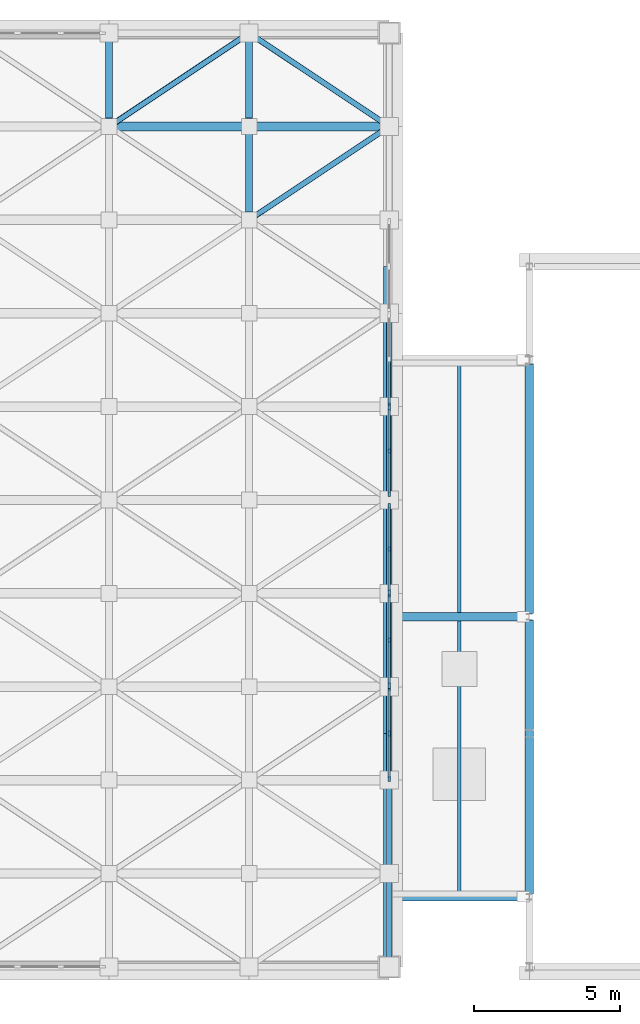
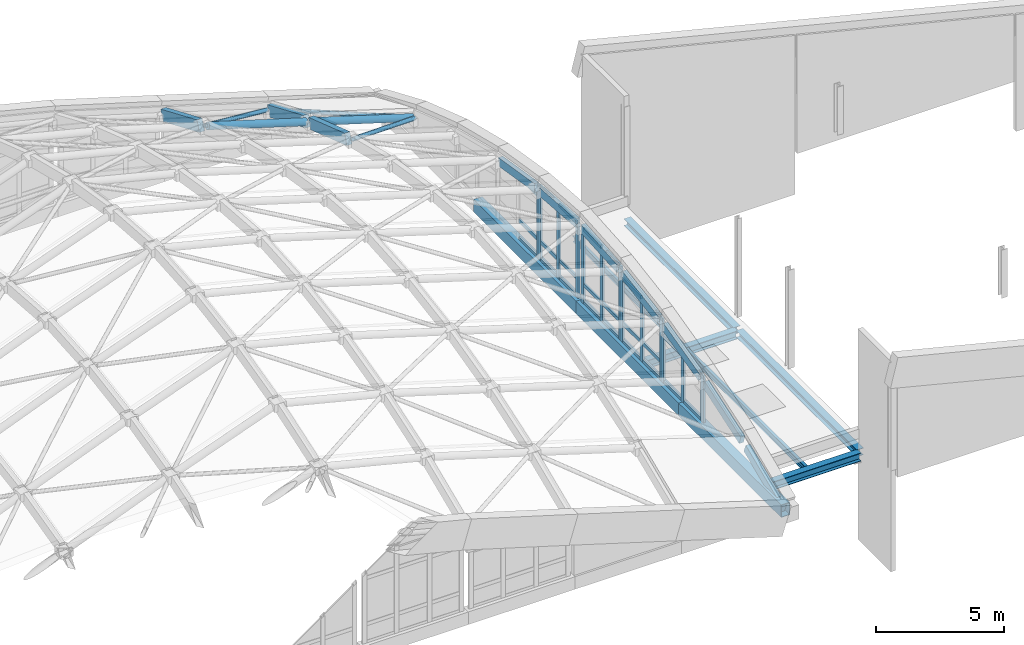
# One storey, part 7 of 14: 53 members, 9 beams, 5 elements without a shape of their own.
"""IFC4 building model written with IfcOpenShell, lengths in metres."""

from ifc_helpers import new_model, si_unit, direction, frame, origin, origin_2d, place, context, subcontext, project, spatial, rectangle, hollow_rectangle, hollow_circle, i_section, extrude, material, material_profile, profile_set, type_object, element, aggregate, save


model = new_model("IFC4")

# Units and contexts
model_context = context("Model", 3, precision=1e-05, world=origin(), true_north=direction((0.0, 1.0)))
body_context = subcontext(model_context, "Body", "Model", "MODEL_VIEW")
ifc_project = project(units=[si_unit("LENGTHUNIT", "METRE"), si_unit("AREAUNIT", "SQUARE_METRE"), si_unit("VOLUMEUNIT", "CUBIC_METRE"), si_unit("PLANEANGLEUNIT", "RADIAN"), si_unit("MASSUNIT", "GRAM", prefix="KILO")], contexts=[model_context])

# Site, building, storey
site_placement = place(None, origin())
site = spatial("IfcSite", under=ifc_project, at=site_placement, CompositionType="ELEMENT")
building_placement = place(site_placement, origin())
building = spatial("IfcBuilding", under=site, at=building_placement, Name="Dunescarp Central Library", CompositionType="ELEMENT")
storey_placement = place(building_placement, frame((0.0, 0.0, 31.800048828125)))
storey = spatial("IfcBuildingStorey", under=building, at=storey_placement, Name="ROOF", CompositionType="ELEMENT", Elevation=31.800048828125)

# Curtain wall, members
ifc_material_1 = material(Name="Marine-grade anodised aluminium 6063-T6", Category="aluminium")
curtain_wall_type = type_object("IfcCurtainWallType", Name="ARC-CW-CROWN", PredefinedType="NOTDEFINED", material=ifc_material_1)
curtain_wall_1_placement = place(storey_placement, origin())
curtain_wall_1 = element("IfcCurtainWall", 1, at=curtain_wall_1_placement, inside=storey, type_object=curtain_wall_type, Name="ROOF curtain wall CW-CROWN-E3", PredefinedType="NOTDEFINED")
ifc_material_profile_1 = material_profile(ifc_material_1, rectangle(XDim=0.090087890625, YDim=0.199951171875, at=origin_2d()), Name="AL 90x200")
ifc_profile_set_1 = profile_set([ifc_material_profile_1], Name="Marine-grade anodised aluminium 6063-T6")
member_type_1 = type_object("IfcMemberType", Name="ARC-CWM-200", PredefinedType="MULLION", material=ifc_profile_set_1)
member_1_placement = place(storey_placement, frame((33.60009765625, 14.35498046875, 0.0), z_axis=(0.0, 0.0, 1.0), x_axis=(1.0, 0.0, 0.0)))
member_1 = element("IfcMember", 2, at=member_1_placement, type_object=member_type_1, Name="CW-CROWN-E3 mullion 1", PredefinedType="MULLION", context=body_context, shape_type="SweptSolid", body=[
    extrude(rectangle(XDim=0.090087890625, YDim=0.199951171875, at=origin_2d()), origin(), (0.0, 0.0, 1.0), 2.239990234375),
])
member_2_placement = place(storey_placement, frame((33.60009765625, 12.800048828125, 0.0), z_axis=(0.0, 0.0, 1.0), x_axis=(1.0, 0.0, 0.0)))
member_2 = element("IfcMember", 3, at=member_2_placement, type_object=member_type_1, Name="CW-CROWN-E3 mullion 2", PredefinedType="MULLION", context=body_context, shape_type="SweptSolid", body=[
    extrude(rectangle(XDim=0.090087890625, YDim=0.199951171875, at=origin_2d()), origin(), (0.0, 0.0, 1.0), 2.239990234375),
])
member_3_placement = place(storey_placement, frame((33.60009765625, 11.2451171875, 0.0), z_axis=(0.0, 0.0, 1.0), x_axis=(1.0, 0.0, 0.0)))
member_3 = element("IfcMember", 4, at=member_3_placement, type_object=member_type_1, Name="CW-CROWN-E3 mullion 3", PredefinedType="MULLION", context=body_context, shape_type="SweptSolid", body=[
    extrude(rectangle(XDim=0.090087890625, YDim=0.199951171875, at=origin_2d()), origin(), (0.0, 0.0, 1.0), 2.239990234375),
])

curtain_wall_2_placement = place(storey_placement, origin())
curtain_wall_2 = element("IfcCurtainWall", 5, at=curtain_wall_2_placement, inside=storey, type_object=curtain_wall_type, Name="ROOF curtain wall CW-CROWN-E4", PredefinedType="NOTDEFINED")
member_4_placement = place(storey_placement, frame((33.60009765625, 17.554931640625, 0.0), z_axis=(0.0, 0.0, 1.0), x_axis=(1.0, 0.0, 0.0)))
member_4 = element("IfcMember", 6, at=member_4_placement, type_object=member_type_1, Name="CW-CROWN-E4 mullion 1", PredefinedType="MULLION", context=body_context, shape_type="SweptSolid", body=[
    extrude(rectangle(XDim=0.090087890625, YDim=0.199951171875, at=origin_2d()), origin(), (0.0, 0.0, 1.0), 3.0400390625),
])
member_5_placement = place(storey_placement, frame((33.60009765625, 16.0, 0.0), z_axis=(0.0, 0.0, 1.0), x_axis=(1.0, 0.0, 0.0)))
member_5 = element("IfcMember", 7, at=member_5_placement, type_object=member_type_1, Name="CW-CROWN-E4 mullion 2", PredefinedType="MULLION", context=body_context, shape_type="SweptSolid", body=[
    extrude(rectangle(XDim=0.090087890625, YDim=0.199951171875, at=origin_2d()), origin(), (0.0, 0.0, 1.0), 3.0400390625),
])
member_6_placement = place(storey_placement, frame((33.60009765625, 14.445068359375, 0.0), z_axis=(0.0, 0.0, 1.0), x_axis=(1.0, 0.0, 0.0)))
member_6 = element("IfcMember", 8, at=member_6_placement, type_object=member_type_1, Name="CW-CROWN-E4 mullion 3", PredefinedType="MULLION", context=body_context, shape_type="SweptSolid", body=[
    extrude(rectangle(XDim=0.090087890625, YDim=0.199951171875, at=origin_2d()), origin(), (0.0, 0.0, 1.0), 3.0400390625),
])

curtain_wall_3_placement = place(storey_placement, origin())
curtain_wall_3 = element("IfcCurtainWall", 9, at=curtain_wall_3_placement, inside=storey, type_object=curtain_wall_type, Name="ROOF curtain wall CW-CROWN-E5", PredefinedType="NOTDEFINED")
member_7_placement = place(storey_placement, frame((33.60009765625, 20.580078125, 0.0), z_axis=(0.0, 0.0, 1.0), x_axis=(1.0, 0.0, 0.0)))
member_7 = element("IfcMember", 10, at=member_7_placement, type_object=member_type_1, Name="CW-CROWN-E5 mullion 1", PredefinedType="MULLION", context=body_context, shape_type="SweptSolid", body=[
    extrude(rectangle(XDim=0.090087890625, YDim=0.199951171875, at=origin_2d()), origin(), (0.0, 0.0, 1.0), 3.56005859375),
])
member_8_placement = place(storey_placement, frame((33.60009765625, 19.112548828125, 0.0), z_axis=(0.0, 0.0, 1.0), x_axis=(1.0, 0.0, 0.0)))
member_8 = element("IfcMember", 11, at=member_8_placement, type_object=member_type_1, Name="CW-CROWN-E5 mullion 2", PredefinedType="MULLION", context=body_context, shape_type="SweptSolid", body=[
    extrude(rectangle(XDim=0.090087890625, YDim=0.199951171875, at=origin_2d()), origin(), (0.0, 0.0, 1.0), 3.56005859375),
])
member_9_placement = place(storey_placement, frame((33.60009765625, 17.64501953125, 0.0), z_axis=(0.0, 0.0, 1.0), x_axis=(1.0, 0.0, 0.0)))
member_9 = element("IfcMember", 12, at=member_9_placement, type_object=member_type_1, Name="CW-CROWN-E5 mullion 3", PredefinedType="MULLION", context=body_context, shape_type="SweptSolid", body=[
    extrude(rectangle(XDim=0.090087890625, YDim=0.199951171875, at=origin_2d()), origin(), (0.0, 0.0, 1.0), 3.56005859375),
])

curtain_wall_4_placement = place(storey_placement, origin())
curtain_wall_4 = element("IfcCurtainWall", 13, at=curtain_wall_4_placement, inside=storey, type_object=curtain_wall_type, Name="ROOF curtain wall CW-CROWN-E6", PredefinedType="NOTDEFINED")
member_10_placement = place(storey_placement, frame((33.60009765625, 23.955078125, 0.0), z_axis=(0.0, 0.0, 1.0), x_axis=(1.0, 0.0, 0.0)))
member_10 = element("IfcMember", 14, at=member_10_placement, type_object=member_type_1, Name="CW-CROWN-E6 mullion 1", PredefinedType="MULLION", context=body_context, shape_type="SweptSolid", body=[
    extrude(rectangle(XDim=0.090087890625, YDim=0.199951171875, at=origin_2d()), origin(), (0.0, 0.0, 1.0), 3.56005859375),
])
member_11_placement = place(storey_placement, frame((33.60009765625, 22.487548828125, 0.0), z_axis=(0.0, 0.0, 1.0), x_axis=(1.0, 0.0, 0.0)))
member_11 = element("IfcMember", 15, at=member_11_placement, type_object=member_type_1, Name="CW-CROWN-E6 mullion 2", PredefinedType="MULLION", context=body_context, shape_type="SweptSolid", body=[
    extrude(rectangle(XDim=0.090087890625, YDim=0.199951171875, at=origin_2d()), origin(), (0.0, 0.0, 1.0), 3.56005859375),
])
member_12_placement = place(storey_placement, frame((33.60009765625, 21.02001953125, 0.0), z_axis=(0.0, 0.0, 1.0), x_axis=(1.0, 0.0, 0.0)))
member_12 = element("IfcMember", 16, at=member_12_placement, type_object=member_type_1, Name="CW-CROWN-E6 mullion 3", PredefinedType="MULLION", context=body_context, shape_type="SweptSolid", body=[
    extrude(rectangle(XDim=0.090087890625, YDim=0.199951171875, at=origin_2d()), origin(), (0.0, 0.0, 1.0), 3.56005859375),
])

# Curtain wall, member
curtain_wall_5_placement = place(storey_placement, origin())
curtain_wall_5 = element("IfcCurtainWall", 17, at=curtain_wall_5_placement, inside=storey, type_object=curtain_wall_type, Name="ROOF curtain wall CW-CROWN-E7", PredefinedType="NOTDEFINED")
member_13_placement = place(storey_placement, frame((33.60009765625, 24.044921875, 0.0), z_axis=(0.0, 0.0, 1.0), x_axis=(1.0, 0.0, 0.0)))
member_13 = element("IfcMember", 18, at=member_13_placement, type_object=member_type_1, Name="CW-CROWN-E7 mullion 3", PredefinedType="MULLION", context=body_context, shape_type="SweptSolid", body=[
    extrude(rectangle(XDim=0.090087890625, YDim=0.199951171875, at=origin_2d()), origin(), (0.0, 0.0, 1.0), 3.0400390625),
])

# Member
ifc_material_profile_2 = material_profile(ifc_material_1, rectangle(XDim=0.080078125, YDim=0.169921875, at=origin_2d()), Name="AL 80x170")
ifc_profile_set_2 = profile_set([ifc_material_profile_2], Name="Marine-grade anodised aluminium 6063-T6")
member_type_2 = type_object("IfcMemberType", Name="ARC-CWT-170", PredefinedType="USERDEFINED", material=ifc_profile_set_2)
member_14_placement = place(storey_placement, frame((33.60009765625, 14.31005859375, 0.0400390625), z_axis=(0.0, -1.0, 0.0), x_axis=(1.0, 0.0, 0.0)))
member_14 = element("IfcMember", 19, at=member_14_placement, type_object=member_type_2, Name="CW-CROWN-E3 transom 1.1", ObjectType="TRANSOM", PredefinedType="USERDEFINED", context=body_context, shape_type="SweptSolid", body=[
    extrude(rectangle(XDim=0.080078125, YDim=0.169921875, at=origin_2d()), origin(), (0.0, 0.0, 1.0), 1.465087890625),
])

member_15_placement = place(storey_placement, frame((33.60009765625, 14.31005859375, 2.199951171875), z_axis=(0.0, -1.0, 0.0), x_axis=(1.0, 0.0, 0.0)))
member_15 = element("IfcMember", 20, at=member_15_placement, type_object=member_type_2, Name="CW-CROWN-E3 transom 1.2", ObjectType="TRANSOM", PredefinedType="USERDEFINED", context=body_context, shape_type="SweptSolid", body=[
    extrude(rectangle(XDim=0.080078125, YDim=0.169921875, at=origin_2d()), origin(), (0.0, 0.0, 1.0), 1.465087890625),
])

member_16_placement = place(storey_placement, frame((33.60009765625, 12.7548828125, 0.0400390625), z_axis=(0.0, -1.0, 0.0), x_axis=(1.0, 0.0, 0.0)))
member_16 = element("IfcMember", 21, at=member_16_placement, type_object=member_type_2, Name="CW-CROWN-E3 transom 2.1", ObjectType="TRANSOM", PredefinedType="USERDEFINED", context=body_context, shape_type="SweptSolid", body=[
    extrude(rectangle(XDim=0.080078125, YDim=0.169921875, at=origin_2d()), origin(), (0.0, 0.0, 1.0), 1.46484375),
])

member_17_placement = place(storey_placement, frame((33.60009765625, 12.7548828125, 2.199951171875), z_axis=(0.0, -1.0, 0.0), x_axis=(1.0, 0.0, 0.0)))
member_17 = element("IfcMember", 22, at=member_17_placement, type_object=member_type_2, Name="CW-CROWN-E3 transom 2.2", ObjectType="TRANSOM", PredefinedType="USERDEFINED", context=body_context, shape_type="SweptSolid", body=[
    extrude(rectangle(XDim=0.080078125, YDim=0.169921875, at=origin_2d()), origin(), (0.0, 0.0, 1.0), 1.46484375),
])

aggregate(curtain_wall_1, [member_1, member_2, member_3, member_14, member_15, member_16, member_17])

member_18_placement = place(storey_placement, frame((33.60009765625, 17.510009765625, 0.0400390625), z_axis=(0.0, -1.0, 0.0), x_axis=(1.0, 0.0, 0.0)))
member_18 = element("IfcMember", 23, at=member_18_placement, type_object=member_type_2, Name="CW-CROWN-E4 transom 1.1", ObjectType="TRANSOM", PredefinedType="USERDEFINED", context=body_context, shape_type="SweptSolid", body=[
    extrude(rectangle(XDim=0.080078125, YDim=0.169921875, at=origin_2d()), origin(), (0.0, 0.0, 1.0), 1.465087890625),
])

member_19_placement = place(storey_placement, frame((33.60009765625, 17.510009765625, 0.89990234375), z_axis=(0.0, -1.0, 0.0), x_axis=(1.0, 0.0, 0.0)))
member_19 = element("IfcMember", 24, at=member_19_placement, type_object=member_type_2, Name="CW-CROWN-E4 transom 1.2", ObjectType="TRANSOM", PredefinedType="USERDEFINED", context=body_context, shape_type="SweptSolid", body=[
    extrude(rectangle(XDim=0.080078125, YDim=0.169921875, at=origin_2d()), origin(), (0.0, 0.0, 1.0), 1.465087890625),
])

member_20_placement = place(storey_placement, frame((33.60009765625, 17.510009765625, 3.0), z_axis=(0.0, -1.0, 0.0), x_axis=(1.0, 0.0, 0.0)))
member_20 = element("IfcMember", 25, at=member_20_placement, type_object=member_type_2, Name="CW-CROWN-E4 transom 1.3", ObjectType="TRANSOM", PredefinedType="USERDEFINED", context=body_context, shape_type="SweptSolid", body=[
    extrude(rectangle(XDim=0.080078125, YDim=0.169921875, at=origin_2d()), origin(), (0.0, 0.0, 1.0), 1.465087890625),
])

member_21_placement = place(storey_placement, frame((33.60009765625, 15.955078125, 0.0400390625), z_axis=(0.0, -1.0, 0.0), x_axis=(1.0, 0.0, 0.0)))
member_21 = element("IfcMember", 26, at=member_21_placement, type_object=member_type_2, Name="CW-CROWN-E4 transom 2.1", ObjectType="TRANSOM", PredefinedType="USERDEFINED", context=body_context, shape_type="SweptSolid", body=[
    extrude(rectangle(XDim=0.080078125, YDim=0.169921875, at=origin_2d()), origin(), (0.0, 0.0, 1.0), 1.465087890625),
])

member_22_placement = place(storey_placement, frame((33.60009765625, 15.955078125, 0.89990234375), z_axis=(0.0, -1.0, 0.0), x_axis=(1.0, 0.0, 0.0)))
member_22 = element("IfcMember", 27, at=member_22_placement, type_object=member_type_2, Name="CW-CROWN-E4 transom 2.2", ObjectType="TRANSOM", PredefinedType="USERDEFINED", context=body_context, shape_type="SweptSolid", body=[
    extrude(rectangle(XDim=0.080078125, YDim=0.169921875, at=origin_2d()), origin(), (0.0, 0.0, 1.0), 1.465087890625),
])

member_23_placement = place(storey_placement, frame((33.60009765625, 15.955078125, 3.0), z_axis=(0.0, -1.0, 0.0), x_axis=(1.0, 0.0, 0.0)))
member_23 = element("IfcMember", 28, at=member_23_placement, type_object=member_type_2, Name="CW-CROWN-E4 transom 2.3", ObjectType="TRANSOM", PredefinedType="USERDEFINED", context=body_context, shape_type="SweptSolid", body=[
    extrude(rectangle(XDim=0.080078125, YDim=0.169921875, at=origin_2d()), origin(), (0.0, 0.0, 1.0), 1.465087890625),
])

aggregate(curtain_wall_2, [member_4, member_5, member_6, member_18, member_19, member_20, member_21, member_22, member_23])

member_24_placement = place(storey_placement, frame((33.60009765625, 20.534912109375, 0.0400390625), z_axis=(0.0, -1.0, 0.0), x_axis=(1.0, 0.0, 0.0)))
member_24 = element("IfcMember", 29, at=member_24_placement, type_object=member_type_2, Name="CW-CROWN-E5 transom 1.1", ObjectType="TRANSOM", PredefinedType="USERDEFINED", context=body_context, shape_type="SweptSolid", body=[
    extrude(rectangle(XDim=0.080078125, YDim=0.169921875, at=origin_2d()), origin(), (0.0, 0.0, 1.0), 1.37744140625),
])

member_25_placement = place(storey_placement, frame((33.60009765625, 20.534912109375, 0.89990234375), z_axis=(0.0, -1.0, 0.0), x_axis=(1.0, 0.0, 0.0)))
member_25 = element("IfcMember", 30, at=member_25_placement, type_object=member_type_2, Name="CW-CROWN-E5 transom 1.2", ObjectType="TRANSOM", PredefinedType="USERDEFINED", context=body_context, shape_type="SweptSolid", body=[
    extrude(rectangle(XDim=0.080078125, YDim=0.169921875, at=origin_2d()), origin(), (0.0, 0.0, 1.0), 1.37744140625),
])

member_26_placement = place(storey_placement, frame((33.60009765625, 20.534912109375, 3.52001953125), z_axis=(0.0, -1.0, 0.0), x_axis=(1.0, 0.0, 0.0)))
member_26 = element("IfcMember", 31, at=member_26_placement, type_object=member_type_2, Name="CW-CROWN-E5 transom 1.3", ObjectType="TRANSOM", PredefinedType="USERDEFINED", context=body_context, shape_type="SweptSolid", body=[
    extrude(rectangle(XDim=0.080078125, YDim=0.169921875, at=origin_2d()), origin(), (0.0, 0.0, 1.0), 1.37744140625),
])

member_27_placement = place(storey_placement, frame((33.60009765625, 19.0673828125, 0.0400390625), z_axis=(0.0, -1.0, 0.0), x_axis=(1.0, 0.0, 0.0)))
member_27 = element("IfcMember", 32, at=member_27_placement, type_object=member_type_2, Name="CW-CROWN-E5 transom 2.1", ObjectType="TRANSOM", PredefinedType="USERDEFINED", context=body_context, shape_type="SweptSolid", body=[
    extrude(rectangle(XDim=0.080078125, YDim=0.169921875, at=origin_2d()), origin(), (0.0, 0.0, 1.0), 1.37744140625),
])

member_28_placement = place(storey_placement, frame((33.60009765625, 19.0673828125, 0.89990234375), z_axis=(0.0, -1.0, 0.0), x_axis=(1.0, 0.0, 0.0)))
member_28 = element("IfcMember", 33, at=member_28_placement, type_object=member_type_2, Name="CW-CROWN-E5 transom 2.2", ObjectType="TRANSOM", PredefinedType="USERDEFINED", context=body_context, shape_type="SweptSolid", body=[
    extrude(rectangle(XDim=0.080078125, YDim=0.169921875, at=origin_2d()), origin(), (0.0, 0.0, 1.0), 1.37744140625),
])

member_29_placement = place(storey_placement, frame((33.60009765625, 19.0673828125, 3.52001953125), z_axis=(0.0, -1.0, 0.0), x_axis=(1.0, 0.0, 0.0)))
member_29 = element("IfcMember", 34, at=member_29_placement, type_object=member_type_2, Name="CW-CROWN-E5 transom 2.3", ObjectType="TRANSOM", PredefinedType="USERDEFINED", context=body_context, shape_type="SweptSolid", body=[
    extrude(rectangle(XDim=0.080078125, YDim=0.169921875, at=origin_2d()), origin(), (0.0, 0.0, 1.0), 1.37744140625),
])

aggregate(curtain_wall_3, [member_7, member_8, member_9, member_24, member_25, member_26, member_27, member_28, member_29])

member_30_placement = place(storey_placement, frame((33.60009765625, 23.909912109375, 0.0400390625), z_axis=(0.0, -1.0, 0.0), x_axis=(1.0, 0.0, 0.0)))
member_30 = element("IfcMember", 35, at=member_30_placement, type_object=member_type_2, Name="CW-CROWN-E6 transom 1.1", ObjectType="TRANSOM", PredefinedType="USERDEFINED", context=body_context, shape_type="SweptSolid", body=[
    extrude(rectangle(XDim=0.080078125, YDim=0.169921875, at=origin_2d()), origin(), (0.0, 0.0, 1.0), 1.37744140625),
])

member_31_placement = place(storey_placement, frame((33.60009765625, 23.909912109375, 0.89990234375), z_axis=(0.0, -1.0, 0.0), x_axis=(1.0, 0.0, 0.0)))
member_31 = element("IfcMember", 36, at=member_31_placement, type_object=member_type_2, Name="CW-CROWN-E6 transom 1.2", ObjectType="TRANSOM", PredefinedType="USERDEFINED", context=body_context, shape_type="SweptSolid", body=[
    extrude(rectangle(XDim=0.080078125, YDim=0.169921875, at=origin_2d()), origin(), (0.0, 0.0, 1.0), 1.37744140625),
])

member_32_placement = place(storey_placement, frame((33.60009765625, 23.909912109375, 3.52001953125), z_axis=(0.0, -1.0, 0.0), x_axis=(1.0, 0.0, 0.0)))
member_32 = element("IfcMember", 37, at=member_32_placement, type_object=member_type_2, Name="CW-CROWN-E6 transom 1.3", ObjectType="TRANSOM", PredefinedType="USERDEFINED", context=body_context, shape_type="SweptSolid", body=[
    extrude(rectangle(XDim=0.080078125, YDim=0.169921875, at=origin_2d()), origin(), (0.0, 0.0, 1.0), 1.37744140625),
])

member_33_placement = place(storey_placement, frame((33.60009765625, 22.4423828125, 0.0400390625), z_axis=(0.0, -1.0, 0.0), x_axis=(1.0, 0.0, 0.0)))
member_33 = element("IfcMember", 38, at=member_33_placement, type_object=member_type_2, Name="CW-CROWN-E6 transom 2.1", ObjectType="TRANSOM", PredefinedType="USERDEFINED", context=body_context, shape_type="SweptSolid", body=[
    extrude(rectangle(XDim=0.080078125, YDim=0.169921875, at=origin_2d()), origin(), (0.0, 0.0, 1.0), 1.37744140625),
])

member_34_placement = place(storey_placement, frame((33.60009765625, 22.4423828125, 0.89990234375), z_axis=(0.0, -1.0, 0.0), x_axis=(1.0, 0.0, 0.0)))
member_34 = element("IfcMember", 39, at=member_34_placement, type_object=member_type_2, Name="CW-CROWN-E6 transom 2.2", ObjectType="TRANSOM", PredefinedType="USERDEFINED", context=body_context, shape_type="SweptSolid", body=[
    extrude(rectangle(XDim=0.080078125, YDim=0.169921875, at=origin_2d()), origin(), (0.0, 0.0, 1.0), 1.37744140625),
])

member_35_placement = place(storey_placement, frame((33.60009765625, 22.4423828125, 3.52001953125), z_axis=(0.0, -1.0, 0.0), x_axis=(1.0, 0.0, 0.0)))
member_35 = element("IfcMember", 40, at=member_35_placement, type_object=member_type_2, Name="CW-CROWN-E6 transom 2.3", ObjectType="TRANSOM", PredefinedType="USERDEFINED", context=body_context, shape_type="SweptSolid", body=[
    extrude(rectangle(XDim=0.080078125, YDim=0.169921875, at=origin_2d()), origin(), (0.0, 0.0, 1.0), 1.37744140625),
])

aggregate(curtain_wall_4, [member_10, member_11, member_12, member_30, member_31, member_32, member_33, member_34, member_35])

member_36_placement = place(storey_placement, frame((33.60009765625, 25.554931640625, 0.0400390625), z_axis=(0.0, -1.0, 0.0), x_axis=(1.0, 0.0, 0.0)))
member_36 = element("IfcMember", 41, at=member_36_placement, type_object=member_type_2, Name="CW-CROWN-E7 transom 2.1", ObjectType="TRANSOM", PredefinedType="USERDEFINED", context=body_context, shape_type="SweptSolid", body=[
    extrude(rectangle(XDim=0.080078125, YDim=0.169921875, at=origin_2d()), origin(), (0.0, 0.0, 1.0), 1.46484375),
])

member_37_placement = place(storey_placement, frame((33.60009765625, 25.554931640625, 0.89990234375), z_axis=(0.0, -1.0, 0.0), x_axis=(1.0, 0.0, 0.0)))
member_37 = element("IfcMember", 42, at=member_37_placement, type_object=member_type_2, Name="CW-CROWN-E7 transom 2.2", ObjectType="TRANSOM", PredefinedType="USERDEFINED", context=body_context, shape_type="SweptSolid", body=[
    extrude(rectangle(XDim=0.080078125, YDim=0.169921875, at=origin_2d()), origin(), (0.0, 0.0, 1.0), 1.46484375),
])

member_38_placement = place(storey_placement, frame((33.60009765625, 25.554931640625, 3.0), z_axis=(0.0, -1.0, 0.0), x_axis=(1.0, 0.0, 0.0)))
member_38 = element("IfcMember", 43, at=member_38_placement, type_object=member_type_2, Name="CW-CROWN-E7 transom 2.3", ObjectType="TRANSOM", PredefinedType="USERDEFINED", context=body_context, shape_type="SweptSolid", body=[
    extrude(rectangle(XDim=0.080078125, YDim=0.169921875, at=origin_2d()), origin(), (0.0, 0.0, 1.0), 1.46484375),
])

aggregate(curtain_wall_5, [member_13, member_36, member_37, member_38])

# Beams
ifc_material_2 = material(Name="Steel S355JR", Category="steel")
ifc_material_profile_3 = material_profile(ifc_material_2, i_section(OverallWidth=0.300048828125, OverallDepth=0.330078125, WebThickness=0.009521484375, FlangeThickness=0.0166015625, at=origin_2d()), Name="HEA 340")
ifc_profile_set_3 = profile_set([ifc_material_profile_3], Name="Steel S355JR")
beam_type_1 = type_object("IfcBeamType", Name="STR-BM-HEA340", PredefinedType="BEAM", material=ifc_profile_set_3)
beam_1_placement = place(storey_placement, frame((38.39990234375, 7.304931640625, -0.76513671875), z_axis=(0.0, 1.0, 0.0), x_axis=(-1.0, 0.0, 0.0)))
element("IfcBeam", 44, at=beam_1_placement, inside=storey, type_object=beam_type_1, Name="ROOF girder BM-ROOF-20003", PredefinedType="BEAM", context=body_context, shape_type="SweptSolid", body=[
    extrude(i_section(OverallWidth=0.300048828125, OverallDepth=0.330078125, WebThickness=0.009521484375, FlangeThickness=0.0166015625, at=origin_2d()), origin(), (0.0, 0.0, 1.0), 9.39013671875),
])
beam_2_placement = place(storey_placement, frame((38.39990234375, 16.905029296875, -0.76513671875), z_axis=(0.0, 1.0, 0.0), x_axis=(-1.0, 0.0, 0.0)))
element("IfcBeam", 45, at=beam_2_placement, inside=storey, type_object=beam_type_1, Name="ROOF girder BM-ROOF-20006", PredefinedType="BEAM", context=body_context, shape_type="SweptSolid", body=[
    extrude(i_section(OverallWidth=0.300048828125, OverallDepth=0.330078125, WebThickness=0.009521484375, FlangeThickness=0.0166015625, at=origin_2d()), origin(), (0.0, 0.0, 1.0), 8.56005859375),
])
ifc_material_profile_4 = material_profile(ifc_material_2, i_section(OverallWidth=0.300048828125, OverallDepth=0.389892578125, WebThickness=0.010986328125, FlangeThickness=0.01904296875, at=origin_2d()), Name="HEA 400")
ifc_profile_set_4 = profile_set([ifc_material_profile_4], Name="Steel S355JR")
beam_type_2 = type_object("IfcBeamType", Name="STR-BM-HEA400", PredefinedType="BEAM", material=ifc_profile_set_4)
for number, where, z_axis, x_axis, name in (
    (46, (33.7529296875, 7.199951171875, -0.795166015625), (1.0, 0.0, 0.0), (0.0, 1.0, 0.0), "ROOF girder BM-ROOF-20001"),
    (47, (33.7529296875, 16.800048828125, -0.795166015625), (1.0, 0.0, 0.0), (0.0, 1.0, 0.0), "ROOF girder BM-ROOF-20002"),
):
    element("IfcBeam", number, at=place(storey_placement, frame(where, z_axis=z_axis, x_axis=x_axis)), inside=storey, type_object=beam_type_2, Name=name, PredefinedType="BEAM", context=body_context, shape_type="SweptSolid", body=[
        extrude(i_section(OverallWidth=0.300048828125, OverallDepth=0.389892578125, WebThickness=0.010986328125, FlangeThickness=0.01904296875, at=origin_2d()), origin(), (0.0, 0.0, 1.0), 4.547119140625),
    ])

# Members
ifc_material_3 = material(Name="Steel S355J0", Category="steel")
ifc_material_profile_5 = material_profile(ifc_material_3, hollow_circle(Radius=0.161865234375, WallThickness=0.012451171875, at=origin_2d()), Name="CHS 323.9x12.5")
ifc_profile_set_5 = profile_set([ifc_material_profile_5], Name="Steel S355J0")
member_type_3 = type_object("IfcMemberType", Name="STR-GS-ARCH", PredefinedType="USERDEFINED", material=ifc_profile_set_5)
member_39_placement = place(storey_placement, frame((24.19091796875, 33.60009765625, 3.81103515625), z_axis=(0.956223495748, 0.0, -0.292637362923), x_axis=(0.0, 1.0, 0.0)))
element("IfcMember", 48, at=member_39_placement, inside=storey, type_object=member_type_3, Name="Gridshell arch rib GS-A-509", ObjectType="ARCH_SEGMENT", PredefinedType="USERDEFINED", context=body_context, shape_type="SweptSolid", body=[
    extrude(hollow_circle(Radius=0.161865234375, WallThickness=0.012451171875, at=origin_2d()), origin(), (0.0, 0.0, 1.0), 4.6201171875),
])
member_40_placement = place(storey_placement, frame((28.990966796875, 33.60009765625, 2.341064453125), z_axis=(0.955615584441, 0.0, -0.294616453669), x_axis=(0.0, 1.0, 0.0)))
element("IfcMember", 49, at=member_40_placement, inside=storey, type_object=member_type_3, Name="Gridshell arch rib GS-A-609", ObjectType="ARCH_SEGMENT", PredefinedType="USERDEFINED", context=body_context, shape_type="SweptSolid", body=[
    extrude(hollow_circle(Radius=0.161865234375, WallThickness=0.012451171875, at=origin_2d()), origin(), (0.0, 0.0, 1.0), 4.623046875),
])
ifc_material_profile_6 = material_profile(ifc_material_3, hollow_circle(Radius=0.096923828125, WallThickness=0.008056640625, at=origin_2d()), Name="CHS 193.7x8")
ifc_profile_set_6 = profile_set([ifc_material_profile_6], Name="Steel S355J0")
member_type_4 = type_object("IfcMemberType", Name="STR-GS-DIAG", PredefinedType="BRACE", material=ifc_profile_set_6)
member_41_placement = place(storey_placement, frame((24.14892578125, 33.699951171875, 3.781982421875), z_axis=(0.747099435622, 0.497850209595, -0.440440236695), x_axis=(-0.554533558432, 0.8321613621, 0.0)))
element("IfcMember", 50, at=member_41_placement, inside=storey, type_object=member_type_4, Name="Gridshell diagonal GS-D-509", PredefinedType="BRACE", context=body_context, shape_type="SweptSolid", body=[
    extrude(hollow_circle(Radius=0.096923828125, WallThickness=0.008056640625, at=origin_2d()), origin(), (0.0, 0.0, 1.0), 6.02587890625),
])
member_42_placement = place(storey_placement, frame((28.951904296875, 30.5009765625, 3.39892578125), z_axis=(0.760486025427, 0.507100803228, -0.405598052875), x_axis=(-0.55478359864, 0.83199468669, 0.0)))
element("IfcMember", 51, at=member_42_placement, inside=storey, type_object=member_type_4, Name="Gridshell diagonal GS-D-608", PredefinedType="BRACE", context=body_context, shape_type="SweptSolid", body=[
    extrude(hollow_circle(Radius=0.096923828125, WallThickness=0.008056640625, at=origin_2d()), origin(), (0.0, 0.0, 1.0), 5.912109375),
])
member_43_placement = place(storey_placement, frame((33.43408203125, 33.7109375, 0.924072265625), z_axis=(-0.831925887891, 0.554496037402, 0.020819739722), x_axis=(-0.554616252844, -0.832106250476, 0.0)))
element("IfcMember", 52, at=member_43_placement, inside=storey, type_object=member_type_4, Name="Gridshell diagonal GS-D-609", PredefinedType="BRACE", context=body_context, shape_type="SweptSolid", body=[
    extrude(hollow_circle(Radius=0.096923828125, WallThickness=0.008056640625, at=origin_2d()), origin(), (0.0, 0.0, 1.0), 5.37060546875),
])
ifc_material_4 = material(Name="Glulam GL28h", Category="wood")
ifc_material_profile_7 = material_profile(ifc_material_4, rectangle(XDim=0.239990234375, YDim=0.52001953125, at=origin_2d()), Name="GL28h 240x520")
ifc_profile_set_7 = profile_set([ifc_material_profile_7], Name="Glulam GL28h")
member_type_5 = type_object("IfcMemberType", Name="STR-GS-GLULAM", PredefinedType="CHORD", material=ifc_profile_set_7)
member_44_placement = place(storey_placement, frame((24.0, 33.783935546875, 3.7919921875), z_axis=(0.0, 0.920273791564, -0.39127502931), x_axis=(-1.0, 0.0, 0.0)))
element("IfcMember", 53, at=member_44_placement, inside=storey, type_object=member_type_5, Name="Gridshell glulam rib GS-T-509", PredefinedType="CHORD", context=body_context, shape_type="SweptSolid", body=[
    extrude(rectangle(XDim=0.239990234375, YDim=0.52001953125, at=origin_2d()), origin(), (0.0, 0.0, 1.0), 3.077392578125),
])
member_45_placement = place(storey_placement, frame((28.800048828125, 30.589111328125, 3.416015625), z_axis=(0.0, 0.947512768906, -0.319717926867), x_axis=(-1.0, 0.0, 0.0)))
element("IfcMember", 54, at=member_45_placement, inside=storey, type_object=member_type_5, Name="Gridshell glulam rib GS-T-608", PredefinedType="CHORD", context=body_context, shape_type="SweptSolid", body=[
    extrude(rectangle(XDim=0.239990234375, YDim=0.52001953125, at=origin_2d()), origin(), (0.0, 0.0, 1.0), 2.97802734375),
])
member_46_placement = place(storey_placement, frame((28.800048828125, 33.783935546875, 2.322021484375), z_axis=(0.0, 0.920273791564, -0.39127502931), x_axis=(-1.0, 0.0, 0.0)))
element("IfcMember", 55, at=member_46_placement, inside=storey, type_object=member_type_5, Name="Gridshell glulam rib GS-T-609", PredefinedType="CHORD", context=body_context, shape_type="SweptSolid", body=[
    extrude(rectangle(XDim=0.239990234375, YDim=0.52001953125, at=origin_2d()), origin(), (0.0, 0.0, 1.0), 3.077392578125),
])
ifc_material_profile_8 = material_profile(ifc_material_4, rectangle(XDim=0.199951171875, YDim=0.39990234375, at=origin_2d()), Name="GL28h 200x400")
ifc_profile_set_8 = profile_set([ifc_material_profile_8], Name="Glulam GL28h")
member_type_6 = type_object("IfcMemberType", Name="STR-GS-GLULAM2", PredefinedType="CHORD", material=ifc_profile_set_8)
member_47_placement = place(storey_placement, frame((33.60009765625, 4.98388671875, -0.362060546875), z_axis=(0.0, 0.920273791564, 0.39127502931), x_axis=(-1.0, 0.0, 0.0)))
element("IfcMember", 56, at=member_47_placement, inside=storey, type_object=member_type_6, Name="Gridshell glulam rib GS-T-700", PredefinedType="CHORD", context=body_context, shape_type="SweptSolid", body=[
    extrude(rectangle(XDim=0.199951171875, YDim=0.39990234375, at=origin_2d()), origin(), (0.0, 0.0, 1.0), 3.077392578125),
])
member_48_placement = place(storey_placement, frame((33.60009765625, 8.18896484375, 0.98388671875), z_axis=(0.0, 0.947521147782, 0.319693094242), x_axis=(-1.0, 0.0, 0.0)))
element("IfcMember", 57, at=member_48_placement, inside=storey, type_object=member_type_6, Name="Gridshell glulam rib GS-T-701", PredefinedType="CHORD", context=body_context, shape_type="SweptSolid", body=[
    extrude(rectangle(XDim=0.199951171875, YDim=0.39990234375, at=origin_2d()), origin(), (0.0, 0.0, 1.0), 2.978271484375),
])
member_49_placement = place(storey_placement, frame((33.60009765625, 11.39404296875, 2.049072265625), z_axis=(0.0, 0.970231625732, 0.242178843895), x_axis=(-1.0, 0.0, 0.0)))
element("IfcMember", 58, at=member_49_placement, inside=storey, type_object=member_type_6, Name="Gridshell glulam rib GS-T-702", PredefinedType="CHORD", context=body_context, shape_type="SweptSolid", body=[
    extrude(rectangle(XDim=0.199951171875, YDim=0.39990234375, at=origin_2d()), origin(), (0.0, 0.0, 1.0), 2.898193359375),
])
member_50_placement = place(storey_placement, frame((33.60009765625, 14.596923828125, 2.83203125), z_axis=(0.0, 0.987063269315, 0.160331227058), x_axis=(-1.0, 0.0, 0.0)))
element("IfcMember", 59, at=member_50_placement, inside=storey, type_object=member_type_6, Name="Gridshell glulam rib GS-T-703", PredefinedType="CHORD", context=body_context, shape_type="SweptSolid", body=[
    extrude(rectangle(XDim=0.199951171875, YDim=0.39990234375, at=origin_2d()), origin(), (0.0, 0.0, 1.0), 2.843017578125),
])
for number, where, z_axis, x_axis, name in (
    (60, (33.60009765625, 17.799072265625, 3.3349609375), (0.0, 0.997204329709, 0.074722987153), (-1.0, 0.0, 0.0), "Gridshell glulam rib GS-T-704"),
    (61, (33.60009765625, 20.9990234375, 3.544921875), (0.0, 0.997204329709, -0.074722987153), (-1.0, 0.0, 0.0), "Gridshell glulam rib GS-T-705"),
):
    element("IfcMember", number, at=place(storey_placement, frame(where, z_axis=z_axis, x_axis=x_axis)), inside=storey, type_object=member_type_6, Name=name, PredefinedType="CHORD", context=body_context, shape_type="SweptSolid", body=[
        extrude(rectangle(XDim=0.199951171875, YDim=0.39990234375, at=origin_2d()), origin(), (0.0, 0.0, 1.0), 2.809814453125),
    ])
member_51_placement = place(storey_placement, frame((33.60009765625, 24.197021484375, 3.287841796875), z_axis=(0.0, 0.987061061486, -0.160344818741), x_axis=(-1.0, 0.0, 0.0)))
element("IfcMember", 62, at=member_51_placement, inside=storey, type_object=member_type_6, Name="Gridshell glulam rib GS-T-706", PredefinedType="CHORD", context=body_context, shape_type="SweptSolid", body=[
    extrude(rectangle(XDim=0.199951171875, YDim=0.39990234375, at=origin_2d()), origin(), (0.0, 0.0, 1.0), 2.8427734375),
])

# Beams
ifc_material_profile_9 = material_profile(ifc_material_2, i_section(OverallWidth=0.135009765625, OverallDepth=0.27001953125, WebThickness=0.006591796875, FlangeThickness=0.01025390625, at=origin_2d()), Name="IPE 270")
ifc_profile_set_9 = profile_set([ifc_material_profile_9], Name="Steel S355JR")
beam_type_3 = type_object("IfcBeamType", Name="STR-JS-IPE270", PredefinedType="JOIST", material=ifc_profile_set_9)
beam_3_placement = place(storey_placement, frame((36.0, 7.347900390625, -0.735107421875), z_axis=(0.0, 1.0, 0.0), x_axis=(-1.0, 0.0, 0.0)))
element("IfcBeam", 63, at=beam_3_placement, inside=storey, type_object=beam_type_3, Name="ROOF joist JS-ROOF-20004", PredefinedType="JOIST", context=body_context, shape_type="SweptSolid", body=[
    extrude(i_section(OverallWidth=0.135009765625, OverallDepth=0.27001953125, WebThickness=0.006591796875, FlangeThickness=0.01025390625, at=origin_2d()), origin(), (0.0, 0.0, 1.0), 9.30419921875),
])
beam_4_placement = place(storey_placement, frame((36.0, 16.947998046875, -0.735107421875), z_axis=(0.0, 1.0, 0.0), x_axis=(-1.0, 0.0, 0.0)))
element("IfcBeam", 64, at=beam_4_placement, inside=storey, type_object=beam_type_3, Name="ROOF joist JS-ROOF-20007", PredefinedType="JOIST", context=body_context, shape_type="SweptSolid", body=[
    extrude(i_section(OverallWidth=0.135009765625, OverallDepth=0.27001953125, WebThickness=0.006591796875, FlangeThickness=0.01025390625, at=origin_2d()), origin(), (0.0, 0.0, 1.0), 8.50390625),
])
ifc_material_profile_10 = material_profile(ifc_material_3, hollow_rectangle(XDim=0.39990234375, YDim=0.60009765625, WallThickness=0.02001953125, at=origin_2d()), Name="RHS 600x400x20")
ifc_profile_set_10 = profile_set([ifc_material_profile_10], Name="Steel S355J0")
beam_type_4 = type_object("IfcBeamType", Name="STR-SP-GRB1", PredefinedType="SPANDREL", material=ifc_profile_set_10)
for number, where, z_axis, x_axis, name in (
    (65, (33.60009765625, 4.800048828125, -0.300048828125), (0.0, 1.0, 0.0), (-1.0, 0.0, 0.0), "Gridshell ring beam GRB-1 GRB1-E16"),
    (66, (33.60009765625, 12.800048828125, -0.300048828125), (0.0, 1.0, 0.0), (-1.0, 0.0, 0.0), "Gridshell ring beam GRB-1 GRB1-E18"),
    (67, (33.60009765625, 20.800048828125, -0.300048828125), (0.0, 1.0, 0.0), (-1.0, 0.0, 0.0), "Gridshell ring beam GRB-1 GRB1-E20"),
):
    element("IfcBeam", number, at=place(storey_placement, frame(where, z_axis=z_axis, x_axis=x_axis)), inside=storey, type_object=beam_type_4, Name=name, PredefinedType="SPANDREL", context=body_context, shape_type="SweptSolid", body=[
        extrude(hollow_rectangle(XDim=0.39990234375, YDim=0.60009765625, WallThickness=0.02001953125, at=origin_2d()), origin(), (0.0, 0.0, 1.0), 8.0),
    ])

save(model, "model.ifc")
